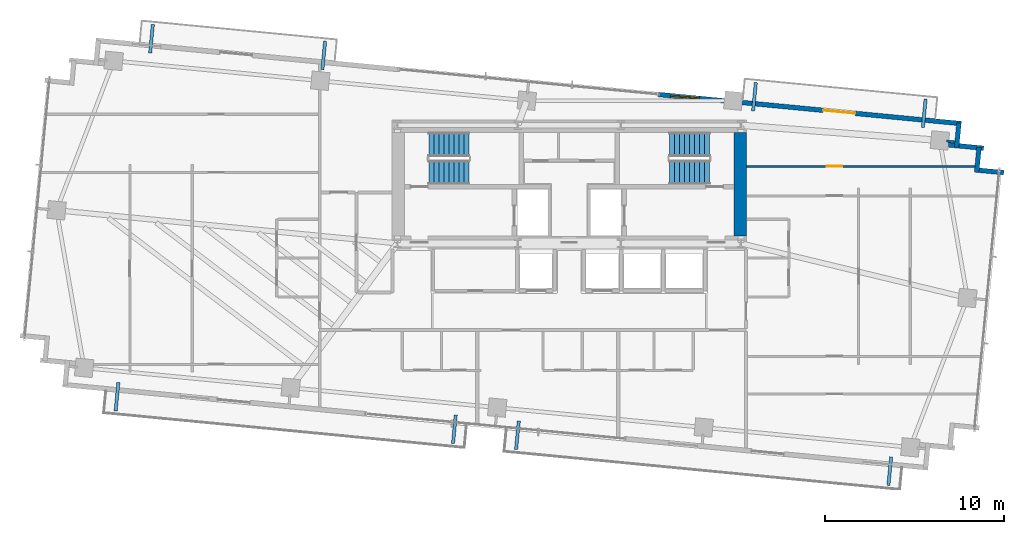
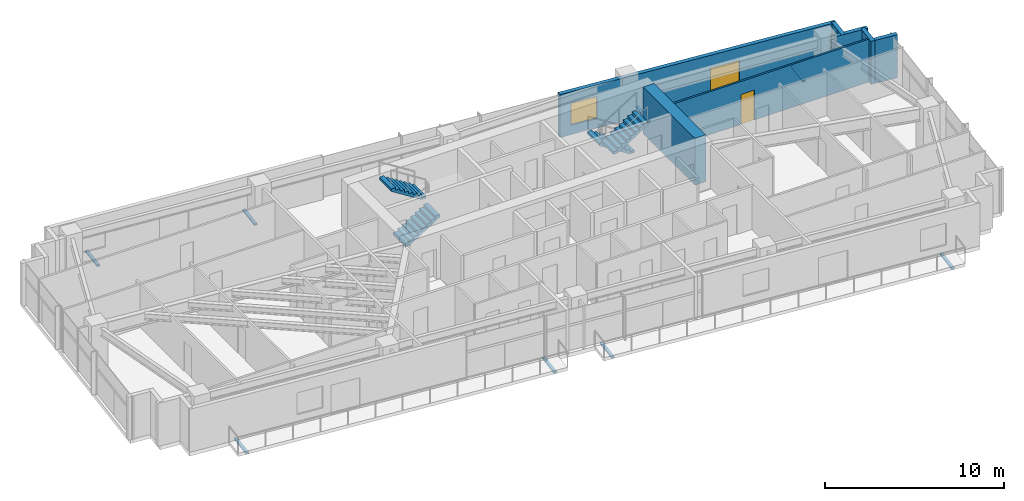
# One storey, part 18 of 20: 8 discrete accessories, 8 walls, 4 stair flights, 2 doors, 1 window, 3 openings, 2 elements without a shape of their own.
"""IFC4 building model written with IfcOpenShell, lengths in metres."""

from ifc_helpers import new_model, si_unit, direction, frame, frame_2d, origin, origin_2d, place, context, subcontext, project, spatial, polyline, rectangle, outline, extrude, source, transform, mapped, material, layer, layer_set, type_object, type_shapes, element, fill, aggregate, save


model = new_model("IFC4")

# Units and contexts
model_context = context("Model", 3, precision=1e-05, world=origin(), true_north=direction((0.0, 1.0)))
body_context = subcontext(model_context, "Body", "Model", "MODEL_VIEW")
ifc_project = project(units=[si_unit("LENGTHUNIT", "METRE"), si_unit("AREAUNIT", "SQUARE_METRE"), si_unit("VOLUMEUNIT", "CUBIC_METRE"), si_unit("PLANEANGLEUNIT", "RADIAN"), si_unit("MASSUNIT", "GRAM", prefix="KILO")], contexts=[model_context])

# Site, building, storey
site_placement = place(None, origin())
site = spatial("IfcSite", under=ifc_project, at=site_placement, CompositionType="ELEMENT")
building_placement = place(site_placement, origin())
building = spatial("IfcBuilding", under=site, at=building_placement, Name="Astriad Promenade Condominiums", CompositionType="ELEMENT")
storey_placement = place(building_placement, frame((0.0, 0.0, 153.39990234375)))
storey = spatial("IfcBuildingStorey", under=building, at=storey_placement, Name="L44", CompositionType="ELEMENT", Elevation=153.39990234375)

# Wall
ifc_material_1 = material(Name="Concrete C60/75", Category="concrete")
ifc_layer_1 = layer(ifc_material_1, 0.699951171875)
ifc_layer_set_1 = layer_set([ifc_layer_1], Name="Concrete C60/75")
wall_type_1 = type_object("IfcWallType", Name="CW-SHEAR-700", PredefinedType="SHEAR", material=ifc_layer_set_1)
wall_1_placement = place(storey_placement, frame((45.550048828125, 17.802001953125, 0.0), z_axis=(0.0, 0.0, 1.0), x_axis=(0.0, 1.0, 0.0)))
element("IfcWall", 1, at=wall_1_placement, inside=storey, type_object=wall_type_1, Name="CW-CORE-E-L44", PredefinedType="SHEAR", context=body_context, shape_type="SweptSolid", body=[
    extrude(rectangle(XDim=5.7958984375, YDim=0.699951171875, at=frame_2d((2.89794921875, 0.0))), origin(), (0.0, 0.0, 1.0), 3.2001953125),
])

# Wall, openings, door, window
ifc_material_2 = material(Name="Precast concrete C50/60", Category="concrete")
ifc_layer_2 = layer(ifc_material_2, 0.260009765625)
ifc_layer_set_2 = layer_set([ifc_layer_2], Name="Precast concrete C50/60")
wall_type_2 = type_object("IfcWallType", Name="WALL-EXT-TWR-260", PredefinedType="STANDARD", material=ifc_layer_set_2)
wall_2_placement = place(storey_placement, frame((40.9833984375, 25.726806640625, 0.0), z_axis=(0.0, 0.0, 1.0), x_axis=(0.995395844771, -0.095849424686, 0.0)))
wall_2 = element("IfcWall", 2, at=wall_2_placement, inside=storey, type_object=wall_type_2, Name="W-EXT-L44-N2", PredefinedType="STANDARD", context=body_context, shape_type="SweptSolid", body=[
    extrude(rectangle(XDim=17.009765625, YDim=0.260009765625, at=frame_2d((8.5048828125, 0.0))), origin(), (0.0, 0.0, 1.0), 2.940185546875),
])
opening_1_placement = place(wall_2_placement, frame((9.25, 0.0, 0.0)))
opening_1 = element("IfcOpeningElement", 3, at=opening_1_placement, cuts=wall_2, Name="Opening BD-1822-SLD", PredefinedType="OPENING", context=body_context, shape_type="SweptSolid", body=[
    extrude(rectangle(XDim=1.800048828125, YDim=2.06005859375, at=frame_2d((0.89990234375, 1.030029296875))), frame((0.0, 0.139892578125, 0.0), z_axis=(0.0, -1.0, 0.0), x_axis=(1.0, 0.0, 0.0)), (0.0, 0.0, 1.0), 0.280029296875),
])
opening_2_placement = place(wall_2_placement, frame((0.699951171875, 0.0, 0.64990234375)))
opening_2 = element("IfcOpeningElement", 4, at=opening_2_placement, cuts=wall_2, Name="Opening WIN-TWR-1620", PredefinedType="OPENING", context=body_context, shape_type="SweptSolid", body=[
    extrude(rectangle(XDim=1.60009765625, YDim=1.5, at=frame_2d((0.800048828125, 0.75))), frame((0.0, 0.139892578125, 0.0), z_axis=(0.0, -1.0, 0.0), x_axis=(1.0, 0.0, 0.0)), (0.0, 0.0, 1.0), 0.280029296875),
])
ifc_material_3 = material(Name="Thermally Broken Aluminium Sliding Balcony Door", Category="aluminium")
door_type_1 = type_object("IfcDoorType", Name="BD-1822-SLD", OperationType="NOTDEFINED", PredefinedType="DOOR", material=ifc_material_3)
shared_shape_1 = source(origin(), body_context, "Body", "SweptSolid", [
    extrude(rectangle(XDim=1.800048828125, YDim=2.06005859375, at=frame_2d((0.89990234375, 1.030029296875))), frame((0.0, 0.02490234375, 0.0), z_axis=(0.0, -1.0, 0.0), x_axis=(1.0, 0.0, 0.0)), (0.0, 0.0, 1.0), 0.050048828125),
])
type_shapes(door_type_1, [shared_shape_1])
door_1_placement = place(opening_1_placement, origin())
door_1 = element("IfcDoor", 5, at=door_1_placement, inside=storey, type_object=door_type_1, Name="BD-L44-NE", OperationType="SLIDING_TO_RIGHT", OverallHeight=2.06005859375, OverallWidth=1.800048828125, PredefinedType="DOOR", context=body_context, shape_type="MappedRepresentation", body=[
    mapped(shared_shape_1, transform((0.0, 0.0, 0.0), scale=1.0)),
])
fill(opening_1, door_1)
ifc_material_4 = material(Name="Dark Tinted Triple-Glazed Aluminium Window", Category="aluminium")
window_type = type_object("IfcWindowType", Name="WIN-TWR-1620", PartitioningType="SINGLE_PANEL", PredefinedType="WINDOW", material=ifc_material_4)
shared_shape_2 = source(origin(), body_context, "Body", "SweptSolid", [
    extrude(rectangle(XDim=1.60009765625, YDim=1.5, at=frame_2d((0.800048828125, 0.75))), frame((0.0, 0.030029296875, 0.0), z_axis=(0.0, -1.0, 0.0), x_axis=(1.0, 0.0, 0.0)), (0.0, 0.0, 1.0), 0.06005859375),
])
type_shapes(window_type, [shared_shape_2])
window_placement = place(opening_2_placement, origin())
window = element("IfcWindow", 6, at=window_placement, inside=storey, type_object=window_type, Name="WIN-L44-NE", OverallHeight=1.5, OverallWidth=1.60009765625, PartitioningType="SINGLE_PANEL", PredefinedType="WINDOW", context=body_context, shape_type="MappedRepresentation", body=[
    mapped(shared_shape_2, transform((0.0, 0.0, 0.0), scale=1.0)),
])
fill(opening_2, window)

# Walls
wall_3_placement = place(storey_placement, frame((57.787109375, 24.123779296875, 0.0), z_axis=(0.0, 0.0, 1.0), x_axis=(-0.095915846097, -0.995389446633, 0.0)))
element("IfcWall", 7, at=wall_3_placement, inside=storey, type_object=wall_type_2, Name="W-SER-L44-09", PredefinedType="STANDARD", context=body_context, shape_type="SweptSolid", body=[
    extrude(rectangle(XDim=1.394775390625, YDim=0.260009765625, at=frame_2d((0.697265625, 0.0))), origin(), (0.0, 0.0, 1.0), 2.940185546875),
])
wall_4_placement = place(storey_placement, frame((57.199951171875, 22.909423828125, 0.0), z_axis=(0.0, 0.0, 1.0), x_axis=(0.995401789159, -0.095787672171, 0.0)))
element("IfcWall", 8, at=wall_4_placement, inside=storey, type_object=wall_type_2, Name="W-SER-L44-10", PredefinedType="STANDARD", context=body_context, shape_type="SweptSolid", body=[
    extrude(rectangle(XDim=1.977783203125, YDim=0.260009765625, at=frame_2d((0.98876953125, 0.0))), origin(), (0.0, 0.0, 1.0), 2.940185546875),
])
for number, where, z_axis, x_axis, name in (
    (9, (58.91162109375, 22.759765625, 0.0), (0.0, 0.0, 1.0), (-0.096072523012, -0.995374336781, 0.0), "W-SER-L44-11"),
    (10, (58.904541015625, 21.489501953125, 0.0), (0.0, 0.0, 1.0), (0.995391056452, -0.09589913835, 0.0), "W-SER-L44-12"),
):
    element("IfcWall", number, at=place(storey_placement, frame(where, z_axis=z_axis, x_axis=x_axis)), inside=storey, type_object=wall_type_2, Name=name, PredefinedType="STANDARD", context=body_context, shape_type="SweptSolid", body=[
        extrude(rectangle(XDim=1.39501953125, YDim=0.260009765625, at=frame_2d((0.697509765625, 0.0))), origin(), (0.0, 0.0, 1.0), 2.940185546875),
    ])

# Wall, opening, door
ifc_material_5 = material(Name="Acoustic Metal-Stud Gypsum Partition")
ifc_layer_3 = layer(ifc_material_5, 0.1201171875)
ifc_layer_set_3 = layer_set([ifc_layer_3], Name="Acoustic Metal-Stud Gypsum Partition")
wall_type_3 = type_object("IfcWallType", Name="WALL-PART-120", PredefinedType="PARTITIONING", material=ifc_layer_set_3)
wall_5_placement = place(storey_placement, frame((45.902099609375, 21.7060546875, 0.0), z_axis=(0.0, 0.0, 1.0), x_axis=(1.0, 0.0, 0.0)))
wall_5 = element("IfcWall", 11, at=wall_5_placement, inside=storey, type_object=wall_type_3, Name="PT-L44-E1-WDN2", PredefinedType="PARTITIONING", context=body_context, shape_type="SweptSolid", body=[
    extrude(rectangle(XDim=12.775146484375, YDim=0.1201171875, at=frame_2d((6.3876953125, 0.0))), origin(), (0.0, 0.0, 1.0), 2.940185546875),
])
opening_3_placement = place(wall_5_placement, frame((4.5009765625, 0.0, 0.0)))
opening_3 = element("IfcOpeningElement", 12, at=opening_3_placement, cuts=wall_5, Name="Opening D-INT-085", PredefinedType="OPENING", context=body_context, shape_type="SweptSolid", body=[
    extrude(rectangle(XDim=0.85009765625, YDim=2.050048828125, at=frame_2d((0.425048828125, 1.02490234375))), frame((0.0, 0.070068359375, 0.0), z_axis=(0.0, -1.0, 0.0), x_axis=(1.0, 0.0, 0.0)), (0.0, 0.0, 1.0), 0.14013671875),
])
ifc_material_6 = material(Name="Painted Solid-Core Timber Room Door", Category="wood")
door_type_2 = type_object("IfcDoorType", Name="D-INT-085", OperationType="NOTDEFINED", PredefinedType="DOOR", material=ifc_material_6)
shared_shape_3 = source(origin(), body_context, "Body", "SweptSolid", [
    extrude(rectangle(XDim=0.85009765625, YDim=2.050048828125, at=frame_2d((0.425048828125, 1.02490234375))), frame((0.0, 0.02490234375, 0.0), z_axis=(0.0, -1.0, 0.0), x_axis=(1.0, 0.0, 0.0)), (0.0, 0.0, 1.0), 0.050048828125),
])
type_shapes(door_type_2, [shared_shape_3])
door_2_placement = place(opening_3_placement, origin())
door_2 = element("IfcDoor", 13, at=door_2_placement, inside=storey, type_object=door_type_2, Name="D-WDN2-L44-E1", OperationType="SINGLE_SWING_LEFT", OverallHeight=2.050048828125, OverallWidth=0.85009765625, PredefinedType="DOOR", context=body_context, shape_type="MappedRepresentation", body=[
    mapped(shared_shape_3, transform((0.0, 0.0, 0.0), scale=1.0)),
])
fill(opening_3, door_2)

# Wall
wall_6_placement = place(storey_placement, frame((57.09765625, 23.120361328125, 0.0), z_axis=(0.0, 0.0, 1.0), x_axis=(0.995384576284, -0.09596637586, 0.0)))
element("IfcWall", 14, at=wall_6_placement, inside=storey, type_object=wall_type_3, Name="PT-PIL-L44-PC10-17", PredefinedType="PARTITIONING", context=body_context, shape_type="SweptSolid", body=[
    extrude(rectangle(XDim=0.4580078125, YDim=0.1201171875, at=frame_2d((0.22900390625, 0.0))), origin(), (0.0, 0.0, 1.0), 2.940185546875),
])

# Stair, stair flights
ifc_material_7 = material(Name="Concrete C50/60", Category="concrete")
stair_type = type_object("IfcStairType", Name="STR-CORE-1350", PredefinedType="HALF_TURN_STAIR", material=ifc_material_7)
stair_1_placement = place(storey_placement, origin())
stair_1 = element("IfcStair", 15, at=stair_1_placement, inside=storey, type_object=stair_type, Name="L44 Enclosed Core Exit Stair ST-1", PredefinedType="HALF_TURN_STAIR")
stair_flight_type = type_object("IfcStairFlightType", Name="SFL-CORE-1350", PredefinedType="STRAIGHT", material=ifc_material_7)
shared_shape_4 = source(origin(), body_context, "Body", "SweptSolid", [
    extrude(outline(polyline([(0.0, 0.0), (0.0, 0.177734375), (0.280029296875, 0.177734375), (0.280029296875, 0.35546875), (0.56005859375, 0.35546875), (0.56005859375, 0.533447265625), (0.840087890625, 0.533447265625), (0.840087890625, 0.711181640625), (1.1201171875, 0.711181640625), (1.1201171875, 0.888916015625), (1.39990234375, 0.888916015625), (1.39990234375, 1.066650390625), (1.679931640625, 1.066650390625), (1.679931640625, 1.244384765625), (1.9599609375, 1.244384765625), (1.9599609375, 1.422119140625), (2.239990234375, 1.422119140625), (2.239990234375, 1.60009765625), (2.239990234375, 1.24462890625), (0.27978515625, 0.0), (0.0, 0.0)])), frame((0.0, 0.675048828125, 0.0), z_axis=(0.0, -1.0, 0.0), x_axis=(1.0, 0.0, 0.0)), (0.0, 0.0, 1.0), 1.35009765625),
])
type_shapes(stair_flight_type, [shared_shape_4])
stair_flight_1_placement = place(storey_placement, frame((28.14990234375, 21.375, 0.0), z_axis=(0.0, 0.0, 1.0), x_axis=(1.0, 0.0, 0.0)))
stair_flight_1 = element("IfcStairFlight", 16, at=stair_flight_1_placement, type_object=stair_flight_type, Name="ST-1 flight 1", NumberOfRisers=9, NumberOfTreads=8, PredefinedType="STRAIGHT", RiserHeight=0.177777778, TreadLength=0.28, context=body_context, shape_type="MappedRepresentation", body=[
    mapped(shared_shape_4, transform((0.0, 0.0, 0.0), scale=1.0)),
])
stair_flight_2_placement = place(storey_placement, frame((30.389892578125, 22.925048828125, 1.60009765625), z_axis=(0.0, 0.0, 1.0), x_axis=(-1.0, 0.0, 0.0)))
stair_flight_2 = element("IfcStairFlight", 17, at=stair_flight_2_placement, type_object=stair_flight_type, Name="ST-1 flight 2", NumberOfRisers=9, NumberOfTreads=8, PredefinedType="STRAIGHT", RiserHeight=0.177777778, TreadLength=0.28, context=body_context, shape_type="MappedRepresentation", body=[
    mapped(shared_shape_4, transform((0.0, 0.0, 0.0), scale=1.0)),
])
aggregate(stair_1, [stair_flight_1, stair_flight_2])

stair_2_placement = place(storey_placement, origin())
stair_2 = element("IfcStair", 18, at=stair_2_placement, inside=storey, type_object=stair_type, Name="L44 Enclosed Core Exit Stair ST-2", PredefinedType="HALF_TURN_STAIR")
stair_flight_3_placement = place(storey_placement, frame((43.85009765625, 22.925048828125, 0.0), z_axis=(0.0, 0.0, 1.0), x_axis=(-1.0, 0.0, 0.0)))
stair_flight_3 = element("IfcStairFlight", 19, at=stair_flight_3_placement, type_object=stair_flight_type, Name="ST-2 flight 1", NumberOfRisers=9, NumberOfTreads=8, PredefinedType="STRAIGHT", RiserHeight=0.177777778, TreadLength=0.28, context=body_context, shape_type="MappedRepresentation", body=[
    mapped(shared_shape_4, transform((0.0, 0.0, 0.0), scale=1.0)),
])
stair_flight_4_placement = place(storey_placement, frame((41.610107421875, 21.375, 1.60009765625), z_axis=(0.0, 0.0, 1.0), x_axis=(1.0, 0.0, 0.0)))
stair_flight_4 = element("IfcStairFlight", 20, at=stair_flight_4_placement, type_object=stair_flight_type, Name="ST-2 flight 2", NumberOfRisers=9, NumberOfTreads=8, PredefinedType="STRAIGHT", RiserHeight=0.177777778, TreadLength=0.28, context=body_context, shape_type="MappedRepresentation", body=[
    mapped(shared_shape_4, transform((0.0, 0.0, 0.0), scale=1.0)),
])
aggregate(stair_2, [stair_flight_3, stair_flight_4])

# Discrete accessories
ifc_material_8 = material(Name="Steel ASTM A572 Grade 50", Category="steel")
discrete_accessory_type = type_object("IfcDiscreteAccessoryType", Name="STEEL BALCONY OUTRIGGER BRACKET", PredefinedType="BRACKET", material=ifc_material_8)
shared_shape_5 = source(origin(), body_context, "Body", "SweptSolid", [
    extrude(rectangle(XDim=1.60009765625, YDim=0.179931640625, at=origin_2d()), origin(), (0.0, 0.0, 1.0), 0.1220703125),
])
type_shapes(discrete_accessory_type, [shared_shape_5])
for number, where, z_axis, x_axis, name in (
    (21, (10.718505859375, 8.82958984375, -0.33984375), (0.0, 0.0, 1.0), (-0.09584575252, -0.995396198367, 0.0), "Balcony Outrigger Bracket BAL-L44-SW-A"),
    (22, (29.5791015625, 7.013671875, -0.33984375), (0.0, 0.0, 1.0), (-0.09584575252, -0.995396198367, 0.0), "Balcony Outrigger Bracket BAL-L44-SW-B"),
    (23, (33.10400390625, 6.67431640625, -0.33984375), (0.0, 0.0, 1.0), (-0.09584575252, -0.995396198367, 0.0), "Balcony Outrigger Bracket BAL-L44-SE-A"),
    (24, (53.920654296875, 4.669921875, -0.33984375), (0.0, 0.0, 1.0), (-0.09584575252, -0.995396198367, 0.0), "Balcony Outrigger Bracket BAL-L44-SE-B"),
    (25, (12.64501953125, 28.837158203125, -0.33984375), (0.0, 0.0, 1.0), (0.09584575252, 0.995396198367, 0.0), "Balcony Outrigger Bracket BAL-L44-NW-A"),
    (26, (22.2763671875, 27.909912109375, -0.33984375), (0.0, 0.0, 1.0), (0.09584575252, 0.995396198367, 0.0), "Balcony Outrigger Bracket BAL-L44-NW-B"),
    (27, (46.35498046875, 25.59130859375, -0.33984375), (0.0, 0.0, 1.0), (0.09584575252, 0.995396198367, 0.0), "Balcony Outrigger Bracket BAL-L44-NE-A"),
    (28, (55.84716796875, 24.67724609375, -0.33984375), (0.0, 0.0, 1.0), (0.09584575252, 0.995396198367, 0.0), "Balcony Outrigger Bracket BAL-L44-NE-B"),
):
    element("IfcDiscreteAccessory", number, at=place(storey_placement, frame(where, z_axis=z_axis, x_axis=x_axis)), inside=storey, type_object=discrete_accessory_type, Name=name, PredefinedType="BRACKET", context=body_context, shape_type="MappedRepresentation", body=[
        mapped(shared_shape_5, transform((0.0, 0.0, 0.0), scale=1.0)),
    ])

save(model, "model.ifc")
